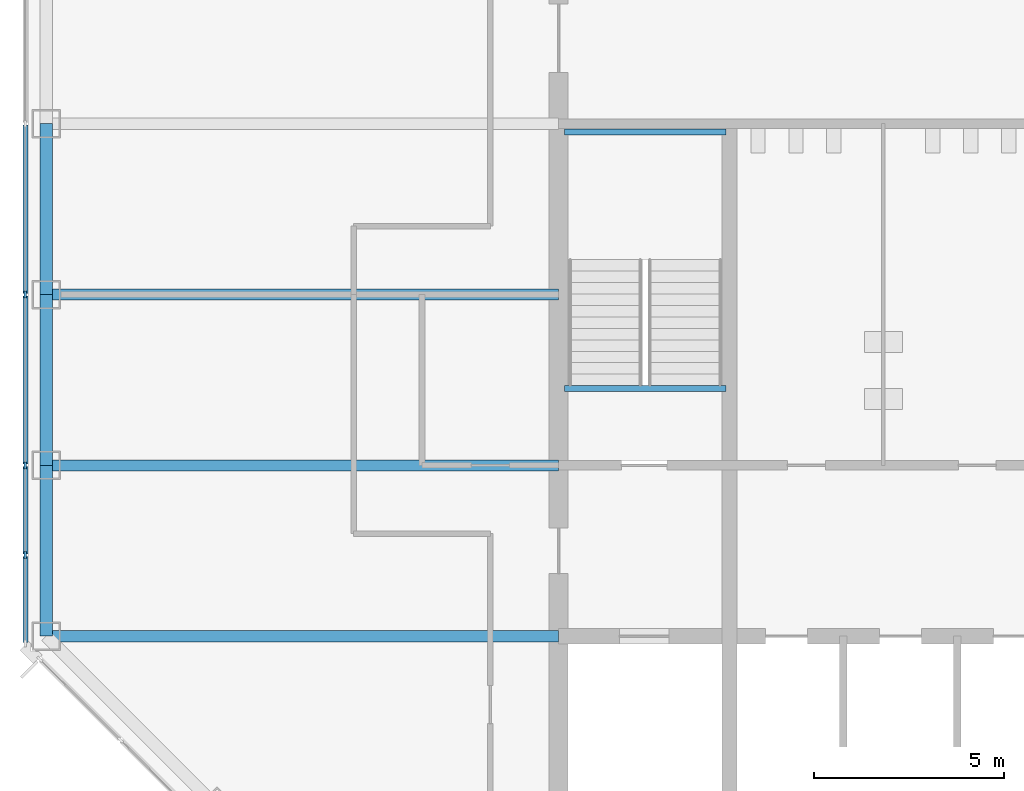
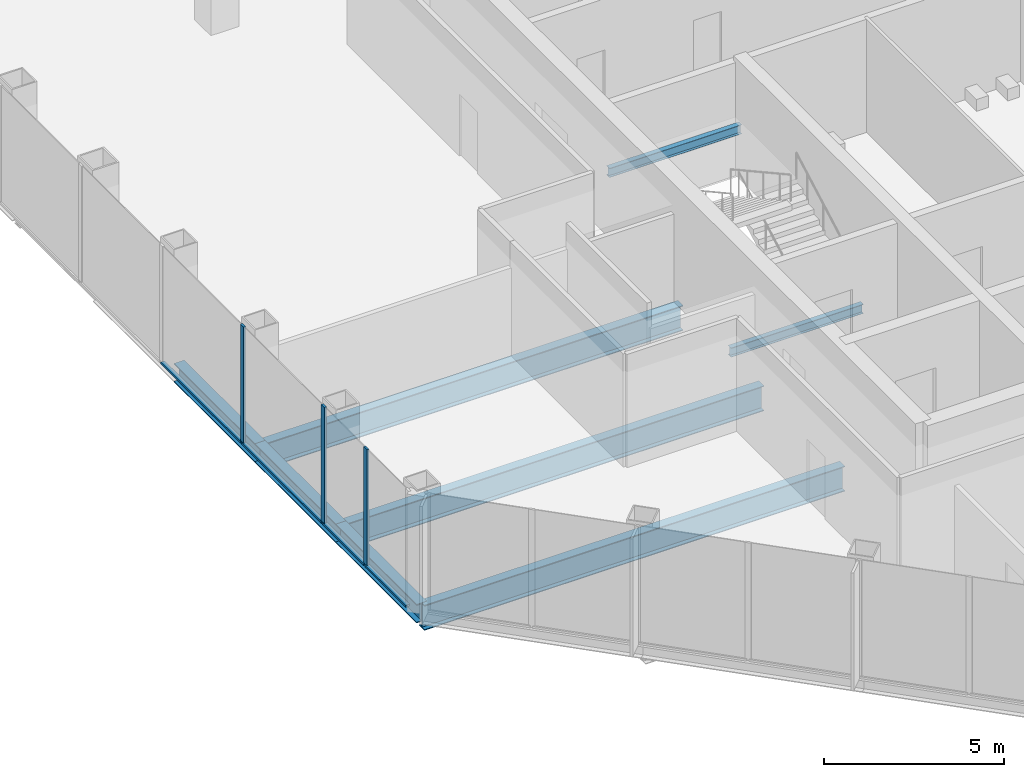
# One storey, part 3 of 13: 8 beams, 7 members, 1 element without a shape of its own.
"""IFC4 building model written with IfcOpenShell, lengths in metres."""

from ifc_helpers import new_model, si_unit, direction, frame, origin, origin_2d, place, context, subcontext, project, spatial, rectangle, i_section, extrude, material, material_profile, profile_set, type_object, element, aggregate, save


model = new_model("IFC4")

# Units and contexts
model_context = context("Model", 3, precision=1e-05, world=origin(), true_north=direction((0.0, 1.0)))
body_context = subcontext(model_context, "Body", "Model", "MODEL_VIEW")
ifc_project = project(units=[si_unit("LENGTHUNIT", "METRE"), si_unit("AREAUNIT", "SQUARE_METRE"), si_unit("VOLUMEUNIT", "CUBIC_METRE"), si_unit("PLANEANGLEUNIT", "RADIAN"), si_unit("MASSUNIT", "GRAM", prefix="KILO")], contexts=[model_context])

# Site, building, storey
site_placement = place(None, origin())
site = spatial("IfcSite", under=ifc_project, at=site_placement, CompositionType="ELEMENT")
building_placement = place(site_placement, origin())
building = spatial("IfcBuilding", under=site, at=building_placement, Name="Corais Broadcast Tower", CompositionType="ELEMENT")
storey_placement = place(building_placement, frame((0.0, 0.0, 123.60009765625)))
storey = spatial("IfcBuildingStorey", under=building, at=storey_placement, Name="L27", CompositionType="ELEMENT", Elevation=123.60009765625)

# Beams
ifc_material_1 = material(Name="Steel ASTM A572 Grade 50", Category="steel")
ifc_material_profile_1 = material_profile(ifc_material_1, i_section(OverallWidth=0.2939453125, OverallDepth=0.85107421875, WebThickness=0.01611328125, FlangeThickness=0.02685546875, at=origin_2d()), Name="W840x226")
ifc_profile_set_1 = profile_set([ifc_material_profile_1], Name="Steel ASTM A572 Grade 50")
beam_type_1 = type_object("IfcBeamType", Name="Floor beam W840x226", PredefinedType="BEAM", material=ifc_profile_set_1)
for number, where, z_axis, x_axis, name in (
    (1, (0.0, 18.0, -0.585693359375), (1.0, 0.0, 0.0), (0.0, 1.0, 0.0), "B1 E/3 to E/6"),
    (2, (0.0, 22.5, -0.585693359375), (1.0, 0.0, 0.0), (0.0, 1.0, 0.0), "B1 F/3 to F/6"),
    (3, (0.0, 27.0, -0.585693359375), (1.0, 0.0, 0.0), (0.0, 1.0, 0.0), "B1 G/3 to G/6"),
):
    element("IfcBeam", number, at=place(storey_placement, frame(where, z_axis=z_axis, x_axis=x_axis)), inside=storey, type_object=beam_type_1, Name=name, PredefinedType="BEAM", context=body_context, shape_type="SweptSolid", body=[
        extrude(i_section(OverallWidth=0.2939453125, OverallDepth=0.85107421875, WebThickness=0.01611328125, FlangeThickness=0.02685546875, at=origin_2d()), origin(), (0.0, 0.0, 1.0), 13.5),
    ])
ifc_material_2 = material(Name="Steel ASTM A572 Grade 50", Category="steel")
ifc_material_profile_2 = material_profile(ifc_material_2, i_section(OverallWidth=0.1650390625, OverallDepth=0.31005859375, WebThickness=0.005859375, FlangeThickness=0.009765625, at=origin_2d()), Name="W310x38.7")
ifc_profile_set_2 = profile_set([ifc_material_profile_2], Name="Steel ASTM A572 Grade 50")
beam_type_2 = type_object("IfcBeamType", Name="Landing trimmer W310x38.7", PredefinedType="BEAM", material=ifc_profile_set_2)
for number, where, z_axis, x_axis, name in (
    (4, (13.64990234375, 24.52490234375, -0.35498046875), (1.0, 0.0, 0.0), (0.0, 1.0, 0.0), "LT1 stair A landing trimmer L27"),
    (5, (13.64990234375, 31.284912109375, 1.64501953125), (1.0, 0.0, 0.0), (0.0, 1.0, 0.0), "LT1 stair A half landing trimmer L27"),
):
    element("IfcBeam", number, at=place(storey_placement, frame(where, z_axis=z_axis, x_axis=x_axis)), inside=storey, type_object=beam_type_2, Name=name, PredefinedType="BEAM", context=body_context, shape_type="SweptSolid", body=[
        extrude(i_section(OverallWidth=0.1650390625, OverallDepth=0.31005859375, WebThickness=0.005859375, FlangeThickness=0.009765625, at=origin_2d()), origin(), (0.0, 0.0, 1.0), 4.25),
    ])

# Curtain wall, members
ifc_material_3 = material(Name="Aluminium and glass", Category="aluminium")
curtain_wall_type = type_object("IfcCurtainWallType", Name="Unitised fritted curtain wall CW2", PredefinedType="NOTDEFINED", material=ifc_material_3)
curtain_wall_placement = place(storey_placement, origin())
curtain_wall = element("IfcCurtainWall", 6, at=curtain_wall_placement, inside=storey, type_object=curtain_wall_type, Name="CW2 curtain wall L27 2", PredefinedType="NOTDEFINED")
ifc_material_4 = material(Name="Aluminium 6063-T6", Category="aluminium")
ifc_material_profile_3 = material_profile(ifc_material_4, rectangle(XDim=0.06494140625, YDim=0.179931640625, at=origin_2d()), Name="Mullion CW2 65x180")
ifc_profile_set_3 = profile_set([ifc_material_profile_3], Name="Aluminium 6063-T6")
member_type_1 = type_object("IfcMemberType", Name="Mullion CW2 65x180", PredefinedType="MULLION", material=ifc_profile_set_3)
member_1_placement = place(storey_placement, frame((-0.550048828125, 20.135986328125, 0.0), z_axis=(0.0, 0.0, 1.0), x_axis=(-1.0, 0.0, 0.0)))
member_1 = element("IfcMember", 7, at=member_1_placement, type_object=member_type_1, Name="CW2 mullion 2", PredefinedType="MULLION", context=body_context, shape_type="SweptSolid", body=[
    extrude(rectangle(XDim=0.06494140625, YDim=0.179931640625, at=origin_2d()), origin(), (0.0, 0.0, 1.0), 4.0),
])
member_2_placement = place(storey_placement, frame((-0.550048828125, 22.5, 0.0), z_axis=(0.0, 0.0, 1.0), x_axis=(-1.0, 0.0, 0.0)))
member_2 = element("IfcMember", 8, at=member_2_placement, type_object=member_type_1, Name="CW2 mullion 3", PredefinedType="MULLION", context=body_context, shape_type="SweptSolid", body=[
    extrude(rectangle(XDim=0.06494140625, YDim=0.179931640625, at=origin_2d()), origin(), (0.0, 0.0, 1.0), 4.0),
])
member_3_placement = place(storey_placement, frame((-0.550048828125, 27.0, 0.0), z_axis=(0.0, 0.0, 1.0), x_axis=(-1.0, 0.0, 0.0)))
member_3 = element("IfcMember", 9, at=member_3_placement, type_object=member_type_1, Name="CW2 mullion 4", PredefinedType="MULLION", context=body_context, shape_type="SweptSolid", body=[
    extrude(rectangle(XDim=0.06494140625, YDim=0.179931640625, at=origin_2d()), origin(), (0.0, 0.0, 1.0), 4.0),
])

# Beams
ifc_material_5 = material(Name="Steel ASTM A572 Grade 50", Category="steel")
ifc_material_profile_4 = material_profile(ifc_material_5, i_section(OverallWidth=0.3291015625, OverallDepth=0.635009765625, WebThickness=0.017822265625, FlangeThickness=0.031005859375, at=origin_2d()), Name="W610x241")
ifc_profile_set_4 = profile_set([ifc_material_profile_4], Name="Steel ASTM A572 Grade 50")
beam_type_3 = type_object("IfcBeamType", Name="Spandrel W610x241", PredefinedType="BEAM", material=ifc_profile_set_4)
for number, where, z_axis, x_axis, name in (
    (10, (0.0, 22.5, -0.4775390625), (0.0, -1.0, 0.0), (1.0, 0.0, 0.0), "SB1 F/3 to E/3"),
    (11, (0.0, 27.0, -0.4775390625), (0.0, -1.0, 0.0), (1.0, 0.0, 0.0), "SB1 G/3 to F/3"),
    (12, (0.0, 31.5, -0.4775390625), (0.0, -1.0, 0.0), (1.0, 0.0, 0.0), "SB1 H/3 to G/3"),
):
    element("IfcBeam", number, at=place(storey_placement, frame(where, z_axis=z_axis, x_axis=x_axis)), inside=storey, type_object=beam_type_3, Name=name, PredefinedType="BEAM", context=body_context, shape_type="SweptSolid", body=[
        extrude(i_section(OverallWidth=0.3291015625, OverallDepth=0.635009765625, WebThickness=0.017822265625, FlangeThickness=0.031005859375, at=origin_2d()), origin(), (0.0, 0.0, 1.0), 4.5),
    ])

# Member
ifc_material_6 = material(Name="Aluminium 6063-T6", Category="aluminium")
ifc_material_profile_5 = material_profile(ifc_material_6, rectangle(XDim=0.1298828125, YDim=0.06494140625, at=origin_2d()), Name="Transom CW2 65x130")
ifc_profile_set_5 = profile_set([ifc_material_profile_5], Name="Aluminium 6063-T6")
member_type_2 = type_object("IfcMemberType", Name="Transom CW2 65x130", PredefinedType="USERDEFINED", material=ifc_profile_set_5)
member_4_placement = place(storey_placement, frame((-0.550048828125, 17.837158203125, 0.032470703125), z_axis=(0.0, 1.0, 0.0), x_axis=(-1.0, 0.0, 0.0)))
member_4 = element("IfcMember", 13, at=member_4_placement, type_object=member_type_2, Name="CW2 transom 1.1", ObjectType="TRANSOM", PredefinedType="USERDEFINED", context=body_context, shape_type="SweptSolid", body=[
    extrude(rectangle(XDim=0.1298828125, YDim=0.06494140625, at=origin_2d()), origin(), (0.0, 0.0, 1.0), 2.266357421875),
])

member_5_placement = place(storey_placement, frame((-0.550048828125, 20.168701171875, 0.032470703125), z_axis=(0.0, 1.0, 0.0), x_axis=(-1.0, 0.0, 0.0)))
member_5 = element("IfcMember", 14, at=member_5_placement, type_object=member_type_2, Name="CW2 transom 2.1", ObjectType="TRANSOM", PredefinedType="USERDEFINED", context=body_context, shape_type="SweptSolid", body=[
    extrude(rectangle(XDim=0.1298828125, YDim=0.06494140625, at=origin_2d()), origin(), (0.0, 0.0, 1.0), 2.298828125),
])

member_6_placement = place(storey_placement, frame((-0.550048828125, 22.532470703125, 0.032470703125), z_axis=(0.0, 1.0, 0.0), x_axis=(-1.0, 0.0, 0.0)))
member_6 = element("IfcMember", 15, at=member_6_placement, type_object=member_type_2, Name="CW2 transom 3.1", ObjectType="TRANSOM", PredefinedType="USERDEFINED", context=body_context, shape_type="SweptSolid", body=[
    extrude(rectangle(XDim=0.1298828125, YDim=0.06494140625, at=origin_2d()), origin(), (0.0, 0.0, 1.0), 4.43505859375),
])

member_7_placement = place(storey_placement, frame((-0.550048828125, 27.032470703125, 0.032470703125), z_axis=(0.0, 1.0, 0.0), x_axis=(-1.0, 0.0, 0.0)))
member_7 = element("IfcMember", 16, at=member_7_placement, type_object=member_type_2, Name="CW2 transom 4.1", ObjectType="TRANSOM", PredefinedType="USERDEFINED", context=body_context, shape_type="SweptSolid", body=[
    extrude(rectangle(XDim=0.1298828125, YDim=0.06494140625, at=origin_2d()), origin(), (0.0, 0.0, 1.0), 4.43505859375),
])

aggregate(curtain_wall, [member_1, member_2, member_3, member_4, member_5, member_6, member_7])

save(model, "model.ifc")
